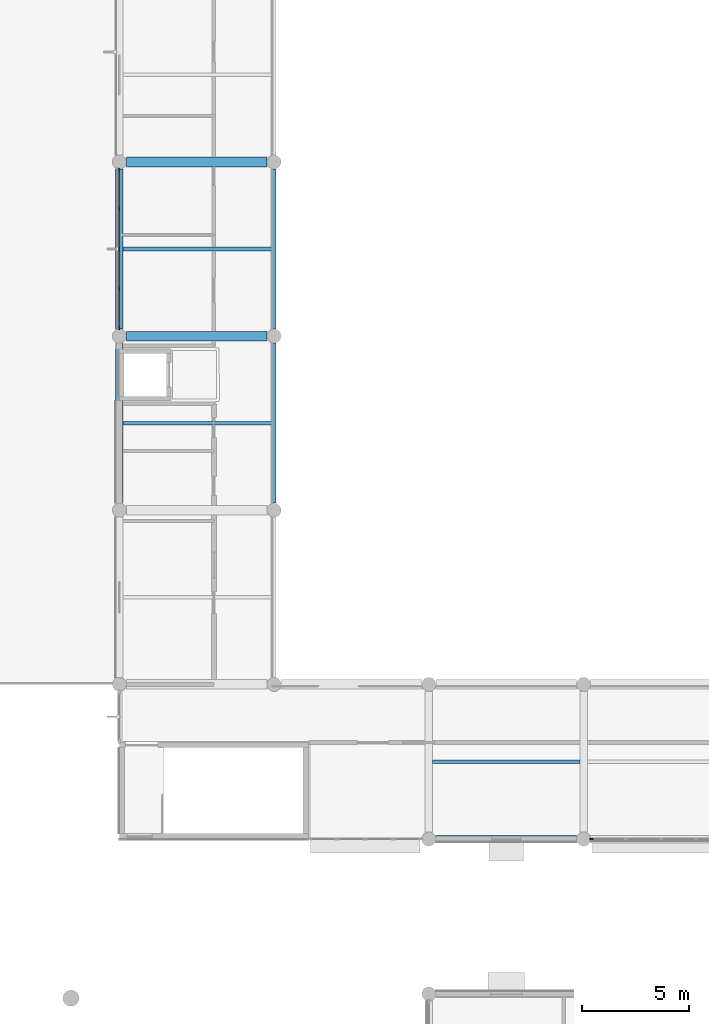
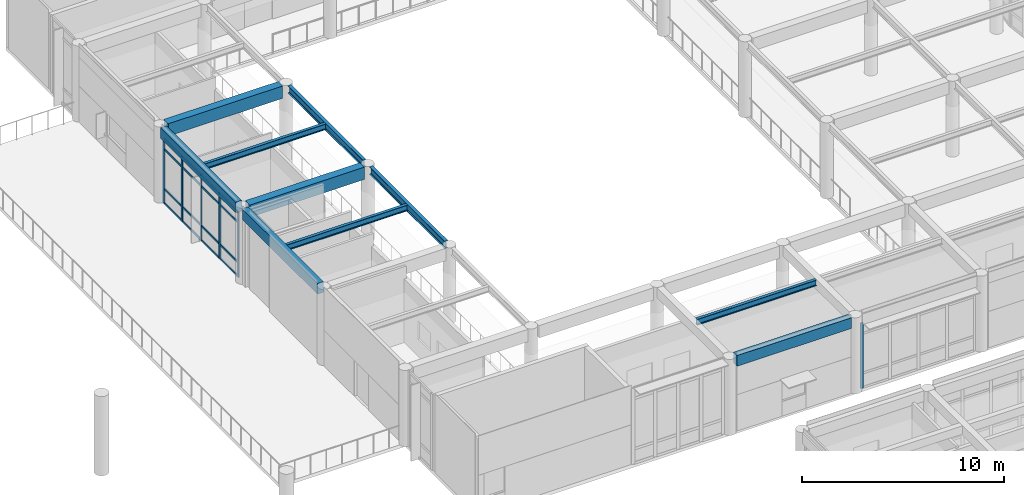
# One storey, part 7 of 92: 22 members, 10 beams, 2 elements without a shape of their own.
"""IFC4 building model written with IfcOpenShell, lengths in metres."""

import ifcopenshell
import ifcopenshell.guid

model = None  # the IFC model being written
_history = None  # IfcOwnerHistory: only IFC2X3 demands one
_inside = {}  # id of a spatial element -> (the spatial element, [elements in it])
_under = {}  # id of a project, library or spatial element -> (it, [spatial elements below it])
_declared = {}  # id of a project -> (the project, [libraries it declares])
_typed = {}  # id of a type object -> (the type object, [elements of that type])
_made_of = {}  # id of a material, layer set ... -> (it, [elements and type objects made of it])


def new_model(schema):
    """Start an empty IFC model of exactly this schema.

    Asked for "IFC4X3", IfcOpenShell would pick the latest addendum, in which some entities
    have other attributes; the version numbers below select the first issue.
    IFC2X3 requires an IfcOwnerHistory on every rooted entity: one is made here for all.
    """
    global model, _history
    if schema == "IFC4X3":
        model = ifcopenshell.file(schema_version=(4, 3, 0, 0))
    else:
        model = ifcopenshell.file(schema=schema)
    _inside.clear()
    _under.clear()
    _declared.clear()
    _typed.clear()
    _made_of.clear()
    _history = None
    if model.schema == "IFC2X3":
        org = make("IfcOrganization", Name="unknown")
        user = make(
            "IfcPersonAndOrganization",
            ThePerson=make("IfcPerson", FamilyName="unknown"),
            TheOrganization=org,
        )
        app = make(
            "IfcApplication",
            ApplicationDeveloper=org,
            Version="unknown",
            ApplicationFullName="unknown",
            ApplicationIdentifier="unknown",
        )
        _history = make(
            "IfcOwnerHistory",
            OwningUser=user,
            OwningApplication=app,
            ChangeAction="ADDED",
            CreationDate=0,
        )
    return model


def make(cls, **values):
    """One entity of the class cls with the attributes given. An attribute that is None is left unset."""
    return model.create_entity(
        cls, **{name: value for name, value in values.items() if value is not None}
    )


def rooted(cls, **values):
    """An entity with a GlobalId (a new one), such as an element, a storey or a relation."""
    return make(cls, GlobalId=ifcopenshell.guid.new(), OwnerHistory=_history, **values)


def si_unit(unit_type, name, prefix=None):
    """IfcSIUnit, for example si_unit("LENGTHUNIT", "METRE", prefix="MILLI")."""
    return make("IfcSIUnit", UnitType=unit_type, Prefix=prefix, Name=name)


def assignment(units):
    """IfcUnitAssignment: the units of a project."""
    return None if units is None else make("IfcUnitAssignment", Units=units)


def point(xyz):
    """IfcCartesianPoint."""
    return None if xyz is None else make("IfcCartesianPoint", Coordinates=xyz)


def direction(xyz):
    """IfcDirection."""
    return None if xyz is None else make("IfcDirection", DirectionRatios=xyz)


def frame(location, z_axis=None, x_axis=None):
    """IfcAxis2Placement3D, a coordinate frame: its origin and axes. An axis left out is left unset."""
    return make(
        "IfcAxis2Placement3D",
        Location=point(location),
        Axis=direction(z_axis),
        RefDirection=direction(x_axis),
    )


def frame_2d(location, x_axis=None):
    """IfcAxis2Placement2D, a coordinate frame in the plane: its origin and x axis."""
    return make(
        "IfcAxis2Placement2D", Location=point(location), RefDirection=direction(x_axis)
    )


def origin():
    """The frame at (0, 0, 0) with its axes left unset."""
    return frame((0.0, 0.0, 0.0))


def origin_2d():
    """The frame at (0, 0) in the plane with its x axis left unset."""
    return frame_2d((0.0, 0.0))


def place(relative_to, where):
    """IfcLocalPlacement: puts the frame where relative to a parent placement (None: the world)."""
    return make(
        "IfcLocalPlacement", PlacementRelTo=relative_to, RelativePlacement=where
    )


def context(
    kind, dimensions, precision=None, world=None, true_north=None, identifier=None
):
    """IfcGeometricRepresentationContext, for example the 3D "Model" context."""
    return make(
        "IfcGeometricRepresentationContext",
        ContextIdentifier=identifier,
        ContextType=kind,
        CoordinateSpaceDimension=dimensions,
        Precision=precision,
        WorldCoordinateSystem=world,
        TrueNorth=true_north,
    )


def subcontext(parent, identifier, kind, view, scale=None):
    """IfcGeometricRepresentationSubContext, for example "Body" below "Model"."""
    return make(
        "IfcGeometricRepresentationSubContext",
        ContextIdentifier=identifier,
        ContextType=kind,
        ParentContext=parent,
        TargetScale=scale,
        TargetView=view,
    )


def project(units=None, contexts=None):
    """IfcProject with its units and contexts."""
    return rooted(
        "IfcProject",
        Name="project",
        RepresentationContexts=contexts,
        UnitsInContext=assignment(units),
    )


def spatial(cls, under=None, at=None, **own):
    """A site, building, storey or space (cls), placed at a placement, below another one or the project."""
    s = rooted(cls, ObjectPlacement=at, **own)
    if under is not None:
        _under.setdefault(under.id(), (under, []))[1].append(s)
    return s


def profile(cls, at=None, kind="AREA", **sizes):
    """A parametric profile (cls). Its sizes go by their IFC names, for example OverallWidth=200.0."""
    return make(cls, ProfileType=kind, Position=at, **sizes)


def rectangle(**sizes):
    """IfcRectangleProfileDef."""
    return profile("IfcRectangleProfileDef", **sizes)


def i_section(**sizes):
    """IfcIShapeProfileDef."""
    return profile("IfcIShapeProfileDef", **sizes)


def extrude(swept, where, along, depth):
    """IfcExtrudedAreaSolid: the profile swept, set in the frame where, extruded along a direction by depth."""
    return make(
        "IfcExtrudedAreaSolid",
        SweptArea=swept,
        Position=where,
        ExtrudedDirection=direction(along),
        Depth=depth,
    )


def shape(context_of_items, identifier, shape_type, items):
    """IfcShapeRepresentation: the items that make up one representation, for example the "Body"."""
    return make(
        "IfcShapeRepresentation",
        ContextOfItems=context_of_items,
        RepresentationIdentifier=identifier,
        RepresentationType=shape_type,
        Items=items,
    )


def material(Name=None, Category=None):
    """IfcMaterial."""
    return make("IfcMaterial", Name=Name, Category=Category)


def layer(
    of_material, thickness, ventilated=None, Name=None, Category=None, Priority=None
):
    """IfcMaterialLayer: one layer of a wall or slab, of a material (None: an air gap)."""
    return make(
        "IfcMaterialLayer",
        Material=of_material,
        LayerThickness=thickness,
        IsVentilated=ventilated,
        Name=Name,
        Category=Category,
        Priority=Priority,
    )


def layer_set(layers, Name=None):
    """IfcMaterialLayerSet."""
    return make("IfcMaterialLayerSet", MaterialLayers=layers, LayerSetName=Name)


def material_profile(
    of_material, cross_section, Name=None, Category=None, Priority=None
):
    """IfcMaterialProfile: a cross section and its material."""
    return make(
        "IfcMaterialProfile",
        Name=Name,
        Material=of_material,
        Profile=cross_section,
        Priority=Priority,
        Category=Category,
    )


def profile_set(profiles, Name=None, composite=None):
    """IfcMaterialProfileSet."""
    return make(
        "IfcMaterialProfileSet",
        Name=Name,
        MaterialProfiles=profiles,
        CompositeProfile=composite,
    )


def made_of(thing, what):
    """Note that an element or type object is made of a material, layer set ...; save() writes the relation."""
    if what is not None:
        _made_of.setdefault(what.id(), (what, []))[1].append(thing)
    return thing


def type_object(cls, material=None, **own):
    """A type object (cls), such as IfcWallType, which elements share."""
    return made_of(rooted(cls, **own), material)


def element(
    cls,
    number,
    at=None,
    inside=None,
    cuts=None,
    type_object=None,
    material=None,
    context=None,
    identifier="Body",
    shape_type=None,
    held_by="IfcProductDefinitionShape",
    body=None,
    shapes=None,
    **own,
):
    """One element of the class cls, such as IfcWall. Its Tag is "e" and its number.

    at: its placement. inside: the storey or other place that contains it. cuts: it is an
    opening in that element (IfcRelVoidsElement). A single representation is given by context,
    identifier, shape_type and body (its items); several are given by shapes. held_by: the class
    of the entity that holds the representations. save() writes the other relations.
    """
    e = rooted(cls, Tag="e%d" % number, ObjectPlacement=at, **own)
    if body is not None:
        shapes = [shape(context, identifier, shape_type, body)]
    if shapes is not None:
        e.Representation = make(held_by, Representations=shapes)
    if inside is not None:
        _inside.setdefault(inside.id(), (inside, []))[1].append(e)
    if cuts is not None:
        rooted(
            "IfcRelVoidsElement", RelatingBuildingElement=cuts, RelatedOpeningElement=e
        )
    if type_object is not None:
        _typed.setdefault(type_object.id(), (type_object, []))[1].append(e)
    return made_of(e, material)


def aggregate(whole, parts):
    """IfcRelAggregates: a whole, such as a stair, and the parts it consists of."""
    return rooted("IfcRelAggregates", RelatingObject=whole, RelatedObjects=parts)


def save(model, path):
    """Write the relations noted so far, then the file.

    IfcRelAggregates (storeys below a building ...), IfcRelContainedInSpatialStructure (elements
    in a storey), IfcRelDefinesByType, IfcRelAssociatesMaterial and IfcRelDeclares: one each for
    every whole, place, type object, material and project.
    """
    for whole, parts in _under.values():
        aggregate(whole, parts)
    for where, things in _inside.values():
        rooted(
            "IfcRelContainedInSpatialStructure",
            RelatedElements=things,
            RelatingStructure=where,
        )
    for kind, things in _typed.values():
        rooted("IfcRelDefinesByType", RelatedObjects=things, RelatingType=kind)
    for what, things in _made_of.values():
        rooted("IfcRelAssociatesMaterial", RelatedObjects=things, RelatingMaterial=what)
    for by, libraries in _declared.values():
        rooted("IfcRelDeclares", RelatingContext=by, RelatedDefinitions=libraries)
    model.write(path)


model = new_model("IFC4")

# Units and contexts
model_context = context("Model", 3, precision=1e-05, world=origin(), true_north=direction((0.0, 1.0)))
body_context = subcontext(model_context, "Body", "Model", "MODEL_VIEW")
ifc_project = project(units=[si_unit("LENGTHUNIT", "METRE"), si_unit("AREAUNIT", "SQUARE_METRE"), si_unit("VOLUMEUNIT", "CUBIC_METRE"), si_unit("PLANEANGLEUNIT", "RADIAN"), si_unit("MASSUNIT", "GRAM", prefix="KILO")], contexts=[model_context])

# Site, building, storey
site_placement = place(None, origin())
site = spatial("IfcSite", under=ifc_project, at=site_placement, CompositionType="ELEMENT")
building_placement = place(site_placement, origin())
building = spatial("IfcBuilding", under=site, at=building_placement, Name="Namkhue Oval Health Centre", CompositionType="ELEMENT")
storey_placement = place(building_placement, frame((0.0, 0.0, 4.800048828125)))
storey = spatial("IfcBuildingStorey", under=building, at=storey_placement, Name="L01", CompositionType="ELEMENT", Elevation=4.800048828125)

# Curtain wall, member
ifc_material_1 = material(Name="Anodised aluminium EN AW-6063 T6", Category="aluminium")
ifc_layer_1 = layer(ifc_material_1, 0.159912109375)
ifc_layer_set_1 = layer_set([ifc_layer_1], Name="Anodised aluminium EN AW-6063 T6")
curtain_wall_type_1 = type_object("IfcCurtainWallType", Name="UNITISED CURTAIN WALL M1500", PredefinedType="NOTDEFINED", material=ifc_layer_set_1)
curtain_wall_1_placement = place(storey_placement, origin())
curtain_wall_1 = element("IfcCurtainWall", 1, at=curtain_wall_1_placement, inside=storey, type_object=curtain_wall_type_1, Name="Volume V1 L01 Unitised Curtain Wall 21", PredefinedType="NOTDEFINED")
ifc_material_profile_1 = material_profile(ifc_material_1, rectangle(XDim=0.06494140625, YDim=0.159912109375, at=origin_2d()), Name="ALU 65x160")
ifc_profile_set_1 = profile_set([ifc_material_profile_1], Name="Anodised aluminium EN AW-6063 T6")
member_type_1 = type_object("IfcMemberType", Name="CURTAIN WALL MULLION 65X160", PredefinedType="MULLION", material=ifc_profile_set_1)
member_1_placement = place(storey_placement, frame((43.5673828125, 36.0, 0.0), z_axis=(0.0, 0.0, 1.0), x_axis=(0.0, 1.0, 0.0)))
member_1 = element("IfcMember", 2, at=member_1_placement, type_object=member_type_1, Name="CW-03 mullion 1", PredefinedType="MULLION", context=body_context, shape_type="SweptSolid", body=[
    extrude(rectangle(XDim=0.06494140625, YDim=0.159912109375, at=origin_2d()), origin(), (0.0, 0.0, 1.0), 3.949951171875),
])
aggregate(curtain_wall_1, [member_1])

# Curtain wall, members
ifc_layer_2 = layer(ifc_material_1, 0.159912109375)
ifc_layer_set_2 = layer_set([ifc_layer_2], Name="Anodised aluminium EN AW-6063 T6")
curtain_wall_type_2 = type_object("IfcCurtainWallType", Name="UNITISED CURTAIN WALL M1800", PredefinedType="NOTDEFINED", material=ifc_layer_set_2)
curtain_wall_2_placement = place(storey_placement, origin())
curtain_wall_2 = element("IfcCurtainWall", 3, at=curtain_wall_2_placement, inside=storey, type_object=curtain_wall_type_2, Name="Volume V1 L01 Unitised Curtain Wall 35", PredefinedType="NOTDEFINED")
member_2_placement = place(storey_placement, frame((21.60009765625, 67.132568359375, 0.0), z_axis=(0.0, 0.0, 1.0), x_axis=(1.0, 0.0, 0.0)))
member_2 = element("IfcMember", 4, at=member_2_placement, type_object=member_type_1, Name="CW-05 mullion 1", PredefinedType="MULLION", context=body_context, shape_type="SweptSolid", body=[
    extrude(rectangle(XDim=0.06494140625, YDim=0.159912109375, at=origin_2d()), origin(), (0.0, 0.0, 1.0), 3.949951171875),
])
member_3_placement = place(storey_placement, frame((21.60009765625, 65.3076171875, 0.0), z_axis=(0.0, 0.0, 1.0), x_axis=(1.0, 0.0, 0.0)))
member_3 = element("IfcMember", 5, at=member_3_placement, type_object=member_type_1, Name="CW-05 mullion 2", PredefinedType="MULLION", context=body_context, shape_type="SweptSolid", body=[
    extrude(rectangle(XDim=0.06494140625, YDim=0.159912109375, at=origin_2d()), origin(), (0.0, 0.0, 1.0), 3.949951171875),
])
member_4_placement = place(storey_placement, frame((21.60009765625, 63.449951171875, 0.0), z_axis=(0.0, 0.0, 1.0), x_axis=(1.0, 0.0, 0.0)))
member_4 = element("IfcMember", 6, at=member_4_placement, type_object=member_type_1, Name="CW-05 mullion 3", PredefinedType="MULLION", context=body_context, shape_type="SweptSolid", body=[
    extrude(rectangle(XDim=0.06494140625, YDim=0.159912109375, at=origin_2d()), origin(), (0.0, 0.0, 1.0), 3.949951171875),
])
member_5_placement = place(storey_placement, frame((21.60009765625, 61.592529296875, 0.0), z_axis=(0.0, 0.0, 1.0), x_axis=(1.0, 0.0, 0.0)))
member_5 = element("IfcMember", 7, at=member_5_placement, type_object=member_type_1, Name="CW-05 mullion 4", PredefinedType="MULLION", context=body_context, shape_type="SweptSolid", body=[
    extrude(rectangle(XDim=0.06494140625, YDim=0.159912109375, at=origin_2d()), origin(), (0.0, 0.0, 1.0), 3.949951171875),
])
member_6_placement = place(storey_placement, frame((21.60009765625, 59.767578125, 0.0), z_axis=(0.0, 0.0, 1.0), x_axis=(1.0, 0.0, 0.0)))
member_6 = element("IfcMember", 8, at=member_6_placement, type_object=member_type_1, Name="CW-05 mullion 5", PredefinedType="MULLION", context=body_context, shape_type="SweptSolid", body=[
    extrude(rectangle(XDim=0.06494140625, YDim=0.159912109375, at=origin_2d()), origin(), (0.0, 0.0, 1.0), 3.949951171875),
])
ifc_material_profile_2 = material_profile(ifc_material_1, rectangle(XDim=0.06494140625, YDim=0.1201171875, at=origin_2d()), Name="ALU 65x120")
ifc_profile_set_2 = profile_set([ifc_material_profile_2], Name="Anodised aluminium EN AW-6063 T6")
member_type_2 = type_object("IfcMemberType", Name="CURTAIN WALL TRANSOM 65X120", PredefinedType="USERDEFINED", material=ifc_profile_set_2)
member_7_placement = place(storey_placement, frame((21.60009765625, 67.10009765625, 0.032470703125), z_axis=(0.0, -1.0, 0.0), x_axis=(1.0, 0.0, 0.0)))
member_7 = element("IfcMember", 9, at=member_7_placement, type_object=member_type_2, Name="CW-05 transom 1.1", ObjectType="TRANSOM", PredefinedType="USERDEFINED", context=body_context, shape_type="SweptSolid", body=[
    extrude(rectangle(XDim=0.06494140625, YDim=0.1201171875, at=origin_2d()), origin(), (0.0, 0.0, 1.0), 1.760009765625),
])
member_8_placement = place(storey_placement, frame((21.60009765625, 67.10009765625, 0.89990234375), z_axis=(0.0, -1.0, 0.0), x_axis=(1.0, 0.0, 0.0)))
member_8 = element("IfcMember", 10, at=member_8_placement, type_object=member_type_2, Name="CW-05 transom 1.2", ObjectType="TRANSOM", PredefinedType="USERDEFINED", context=body_context, shape_type="SweptSolid", body=[
    extrude(rectangle(XDim=0.06494140625, YDim=0.1201171875, at=origin_2d()), origin(), (0.0, 0.0, 1.0), 1.760009765625),
])
member_9_placement = place(storey_placement, frame((21.60009765625, 67.10009765625, 3.300048828125), z_axis=(0.0, -1.0, 0.0), x_axis=(1.0, 0.0, 0.0)))
member_9 = element("IfcMember", 11, at=member_9_placement, type_object=member_type_2, Name="CW-05 transom 1.3", ObjectType="TRANSOM", PredefinedType="USERDEFINED", context=body_context, shape_type="SweptSolid", body=[
    extrude(rectangle(XDim=0.06494140625, YDim=0.1201171875, at=origin_2d()), origin(), (0.0, 0.0, 1.0), 1.760009765625),
])
member_10_placement = place(storey_placement, frame((21.60009765625, 67.10009765625, 3.91748046875), z_axis=(0.0, -1.0, 0.0), x_axis=(1.0, 0.0, 0.0)))
member_10 = element("IfcMember", 12, at=member_10_placement, type_object=member_type_2, Name="CW-05 transom 1.4", ObjectType="TRANSOM", PredefinedType="USERDEFINED", context=body_context, shape_type="SweptSolid", body=[
    extrude(rectangle(XDim=0.06494140625, YDim=0.1201171875, at=origin_2d()), origin(), (0.0, 0.0, 1.0), 1.760009765625),
])
member_11_placement = place(storey_placement, frame((21.60009765625, 65.27490234375, 0.032470703125), z_axis=(0.0, -1.0, 0.0), x_axis=(1.0, 0.0, 0.0)))
member_11 = element("IfcMember", 13, at=member_11_placement, type_object=member_type_2, Name="CW-05 transom 2.1", ObjectType="TRANSOM", PredefinedType="USERDEFINED", context=body_context, shape_type="SweptSolid", body=[
    extrude(rectangle(XDim=0.06494140625, YDim=0.1201171875, at=origin_2d()), origin(), (0.0, 0.0, 1.0), 1.79248046875),
])
member_12_placement = place(storey_placement, frame((21.60009765625, 65.27490234375, 0.89990234375), z_axis=(0.0, -1.0, 0.0), x_axis=(1.0, 0.0, 0.0)))
member_12 = element("IfcMember", 14, at=member_12_placement, type_object=member_type_2, Name="CW-05 transom 2.2", ObjectType="TRANSOM", PredefinedType="USERDEFINED", context=body_context, shape_type="SweptSolid", body=[
    extrude(rectangle(XDim=0.06494140625, YDim=0.1201171875, at=origin_2d()), origin(), (0.0, 0.0, 1.0), 1.79248046875),
])
member_13_placement = place(storey_placement, frame((21.60009765625, 65.27490234375, 3.300048828125), z_axis=(0.0, -1.0, 0.0), x_axis=(1.0, 0.0, 0.0)))
member_13 = element("IfcMember", 15, at=member_13_placement, type_object=member_type_2, Name="CW-05 transom 2.3", ObjectType="TRANSOM", PredefinedType="USERDEFINED", context=body_context, shape_type="SweptSolid", body=[
    extrude(rectangle(XDim=0.06494140625, YDim=0.1201171875, at=origin_2d()), origin(), (0.0, 0.0, 1.0), 1.79248046875),
])
member_14_placement = place(storey_placement, frame((21.60009765625, 65.27490234375, 3.91748046875), z_axis=(0.0, -1.0, 0.0), x_axis=(1.0, 0.0, 0.0)))
member_14 = element("IfcMember", 16, at=member_14_placement, type_object=member_type_2, Name="CW-05 transom 2.4", ObjectType="TRANSOM", PredefinedType="USERDEFINED", context=body_context, shape_type="SweptSolid", body=[
    extrude(rectangle(XDim=0.06494140625, YDim=0.1201171875, at=origin_2d()), origin(), (0.0, 0.0, 1.0), 1.79248046875),
])
member_15_placement = place(storey_placement, frame((21.60009765625, 63.41748046875, 0.032470703125), z_axis=(0.0, -1.0, 0.0), x_axis=(1.0, 0.0, 0.0)))
member_15 = element("IfcMember", 17, at=member_15_placement, type_object=member_type_2, Name="CW-05 transom 3.1", ObjectType="TRANSOM", PredefinedType="USERDEFINED", context=body_context, shape_type="SweptSolid", body=[
    extrude(rectangle(XDim=0.06494140625, YDim=0.1201171875, at=origin_2d()), origin(), (0.0, 0.0, 1.0), 1.79248046875),
])
member_16_placement = place(storey_placement, frame((21.60009765625, 63.41748046875, 0.89990234375), z_axis=(0.0, -1.0, 0.0), x_axis=(1.0, 0.0, 0.0)))
member_16 = element("IfcMember", 18, at=member_16_placement, type_object=member_type_2, Name="CW-05 transom 3.2", ObjectType="TRANSOM", PredefinedType="USERDEFINED", context=body_context, shape_type="SweptSolid", body=[
    extrude(rectangle(XDim=0.06494140625, YDim=0.1201171875, at=origin_2d()), origin(), (0.0, 0.0, 1.0), 1.79248046875),
])
member_17_placement = place(storey_placement, frame((21.60009765625, 63.41748046875, 3.300048828125), z_axis=(0.0, -1.0, 0.0), x_axis=(1.0, 0.0, 0.0)))
member_17 = element("IfcMember", 19, at=member_17_placement, type_object=member_type_2, Name="CW-05 transom 3.3", ObjectType="TRANSOM", PredefinedType="USERDEFINED", context=body_context, shape_type="SweptSolid", body=[
    extrude(rectangle(XDim=0.06494140625, YDim=0.1201171875, at=origin_2d()), origin(), (0.0, 0.0, 1.0), 1.79248046875),
])
member_18_placement = place(storey_placement, frame((21.60009765625, 63.41748046875, 3.91748046875), z_axis=(0.0, -1.0, 0.0), x_axis=(1.0, 0.0, 0.0)))
member_18 = element("IfcMember", 20, at=member_18_placement, type_object=member_type_2, Name="CW-05 transom 3.4", ObjectType="TRANSOM", PredefinedType="USERDEFINED", context=body_context, shape_type="SweptSolid", body=[
    extrude(rectangle(XDim=0.06494140625, YDim=0.1201171875, at=origin_2d()), origin(), (0.0, 0.0, 1.0), 1.79248046875),
])
member_19_placement = place(storey_placement, frame((21.60009765625, 61.56005859375, 0.032470703125), z_axis=(0.0, -1.0, 0.0), x_axis=(1.0, 0.0, 0.0)))
member_19 = element("IfcMember", 21, at=member_19_placement, type_object=member_type_2, Name="CW-05 transom 4.1", ObjectType="TRANSOM", PredefinedType="USERDEFINED", context=body_context, shape_type="SweptSolid", body=[
    extrude(rectangle(XDim=0.06494140625, YDim=0.1201171875, at=origin_2d()), origin(), (0.0, 0.0, 1.0), 1.760009765625),
])
member_20_placement = place(storey_placement, frame((21.60009765625, 61.56005859375, 0.89990234375), z_axis=(0.0, -1.0, 0.0), x_axis=(1.0, 0.0, 0.0)))
member_20 = element("IfcMember", 22, at=member_20_placement, type_object=member_type_2, Name="CW-05 transom 4.2", ObjectType="TRANSOM", PredefinedType="USERDEFINED", context=body_context, shape_type="SweptSolid", body=[
    extrude(rectangle(XDim=0.06494140625, YDim=0.1201171875, at=origin_2d()), origin(), (0.0, 0.0, 1.0), 1.760009765625),
])
member_21_placement = place(storey_placement, frame((21.60009765625, 61.56005859375, 3.300048828125), z_axis=(0.0, -1.0, 0.0), x_axis=(1.0, 0.0, 0.0)))
member_21 = element("IfcMember", 23, at=member_21_placement, type_object=member_type_2, Name="CW-05 transom 4.3", ObjectType="TRANSOM", PredefinedType="USERDEFINED", context=body_context, shape_type="SweptSolid", body=[
    extrude(rectangle(XDim=0.06494140625, YDim=0.1201171875, at=origin_2d()), origin(), (0.0, 0.0, 1.0), 1.760009765625),
])
member_22_placement = place(storey_placement, frame((21.60009765625, 61.56005859375, 3.91748046875), z_axis=(0.0, -1.0, 0.0), x_axis=(1.0, 0.0, 0.0)))
member_22 = element("IfcMember", 24, at=member_22_placement, type_object=member_type_2, Name="CW-05 transom 4.4", ObjectType="TRANSOM", PredefinedType="USERDEFINED", context=body_context, shape_type="SweptSolid", body=[
    extrude(rectangle(XDim=0.06494140625, YDim=0.1201171875, at=origin_2d()), origin(), (0.0, 0.0, 1.0), 1.760009765625),
])
aggregate(curtain_wall_2, [member_2, member_3, member_4, member_5, member_6, member_7, member_8, member_9, member_10, member_11, member_12, member_13, member_14, member_15, member_16, member_17, member_18, member_19, member_20, member_21, member_22])

# Beams
ifc_material_2 = material(Name="Structural steel EN 10025-2 S355JR (TCVN 5575:2024)", Category="steel")
ifc_material_profile_3 = material_profile(ifc_material_2, i_section(OverallWidth=0.18994140625, OverallDepth=0.449951171875, WebThickness=0.009521484375, FlangeThickness=0.0146484375, FilletRadius=0.02099609375, at=origin_2d()), Name="IPE 450")
ifc_profile_set_3 = profile_set([ifc_material_profile_3], Name="Structural steel EN 10025-2 S355JR (TCVN 5575:2024)")
beam_type_1 = type_object("IfcBeamType", Name="FLOOR BEAM STEEL IPE 450", PredefinedType="BEAM", material=ifc_profile_set_3)
for number, where, z_axis, x_axis, name in (
    (25, (28.800048828125, 51.625, 4.375), (0.0, 1.0, 0.0), (-1.0, 0.0, 0.0), "Volume V1 L02 Beam 5/H-J"),
    (26, (28.800048828125, 59.72509765625, 4.375), (0.0, 1.0, 0.0), (-1.0, 0.0, 0.0), "Volume V1 L02 Beam 5/J-K"),
):
    element("IfcBeam", number, at=place(storey_placement, frame(where, z_axis=z_axis, x_axis=x_axis)), inside=storey, type_object=beam_type_1, Name=name, PredefinedType="BEAM", context=body_context, shape_type="SweptSolid", body=[
        extrude(i_section(OverallWidth=0.18994140625, OverallDepth=0.449951171875, WebThickness=0.009521484375, FlangeThickness=0.0146484375, FilletRadius=0.02099609375, at=origin_2d()), origin(), (0.0, 0.0, 1.0), 7.449951171875),
    ])
ifc_material_3 = material(Name="Reinforced concrete C35/45 (TCVN B40)", Category="concrete")
ifc_material_profile_4 = material_profile(ifc_material_3, rectangle(XDim=0.35009765625, YDim=0.64990234375, at=origin_2d()), Name="RC 350x650")
ifc_profile_set_4 = profile_set([ifc_material_profile_4], Name="Reinforced concrete C35/45 (TCVN B40)")
beam_type_2 = type_object("IfcBeamType", Name="PERIMETER SPANDREL BEAM 350X650", PredefinedType="SPANDREL", material=ifc_profile_set_4)
beam_1_placement = place(storey_placement, frame((36.324951171875, 36.0, 4.27490234375), z_axis=(1.0, 0.0, 0.0), x_axis=(0.0, 1.0, 0.0)))
element("IfcBeam", 27, at=beam_1_placement, inside=storey, type_object=beam_type_2, Name="Volume V1 L02 Girder F/6-7", PredefinedType="SPANDREL", context=body_context, shape_type="SweptSolid", body=[
    extrude(rectangle(XDim=0.35009765625, YDim=0.64990234375, at=origin_2d()), origin(), (0.0, 0.0, 1.0), 6.550048828125),
])
for number, where, z_axis, x_axis, name in (
    (28, (21.60009765625, 51.625, 4.27490234375), (0.0, 1.0, 0.0), (-1.0, 0.0, 0.0), "Volume V1 L02 Beam 4/H-J"),
    (29, (21.60009765625, 59.72509765625, 4.27490234375), (0.0, 1.0, 0.0), (-1.0, 0.0, 0.0), "Volume V1 L02 Beam 4/J-K"),
):
    element("IfcBeam", number, at=place(storey_placement, frame(where, z_axis=z_axis, x_axis=x_axis)), inside=storey, type_object=beam_type_2, Name=name, PredefinedType="SPANDREL", context=body_context, shape_type="SweptSolid", body=[
        extrude(rectangle(XDim=0.35009765625, YDim=0.64990234375, at=origin_2d()), origin(), (0.0, 0.0, 1.0), 7.449951171875),
    ])
ifc_material_profile_5 = material_profile(ifc_material_3, rectangle(XDim=0.449951171875, YDim=0.75, at=origin_2d()), Name="RC 450x750")
ifc_profile_set_5 = profile_set([ifc_material_profile_5], Name="Reinforced concrete C35/45 (TCVN B40)")
beam_type_3 = type_object("IfcBeamType", Name="PRIMARY GIRDER RC 450X750", PredefinedType="USERDEFINED", material=ifc_profile_set_5)
for number, where, z_axis, x_axis, name in (
    (30, (21.925048828125, 59.39990234375, 4.224853515625), (1.0, 0.0, 0.0), (0.0, 1.0, 0.0), "Volume V1 L02 Girder J/4-5"),
    (31, (21.925048828125, 67.5, 4.224853515625), (1.0, 0.0, 0.0), (0.0, 1.0, 0.0), "Volume V1 L02 Girder K/4-5"),
):
    element("IfcBeam", number, at=place(storey_placement, frame(where, z_axis=z_axis, x_axis=x_axis)), inside=storey, type_object=beam_type_3, Name=name, ObjectType="GIRDER", PredefinedType="USERDEFINED", context=body_context, shape_type="SweptSolid", body=[
        extrude(rectangle(XDim=0.449951171875, YDim=0.75, at=origin_2d()), origin(), (0.0, 0.0, 1.0), 6.550048828125),
    ])
ifc_material_profile_6 = material_profile(ifc_material_2, i_section(OverallWidth=0.169921875, OverallDepth=0.360107421875, WebThickness=0.008056640625, FlangeThickness=0.0126953125, FilletRadius=0.01806640625, at=origin_2d()), Name="IPE 360")
ifc_profile_set_6 = profile_set([ifc_material_profile_6], Name="Structural steel EN 10025-2 S355JR (TCVN 5575:2024)")
beam_type_4 = type_object("IfcBeamType", Name="SECONDARY JOIST STEEL IPE 360", PredefinedType="JOIST", material=ifc_profile_set_6)
for number, where, z_axis, x_axis, name in (
    (32, (21.77490234375, 55.35009765625, 4.419921875), (1.0, 0.0, 0.0), (0.0, 1.0, 0.0), "Volume V1 L02 Secondary Joist 4-5"),
    (33, (21.77490234375, 63.449951171875, 4.419921875), (1.0, 0.0, 0.0), (0.0, 1.0, 0.0), "Volume V1 L02 Secondary Joist 4-5"),
):
    element("IfcBeam", number, at=place(storey_placement, frame(where, z_axis=z_axis, x_axis=x_axis)), inside=storey, type_object=beam_type_4, Name=name, PredefinedType="JOIST", context=body_context, shape_type="SweptSolid", body=[
        extrude(i_section(OverallWidth=0.169921875, OverallDepth=0.360107421875, WebThickness=0.008056640625, FlangeThickness=0.0126953125, FilletRadius=0.01806640625, at=origin_2d()), origin(), (0.0, 0.0, 1.0), 6.93017578125),
    ])
beam_2_placement = place(storey_placement, frame((36.175048828125, 39.60009765625, 4.419921875), z_axis=(1.0, 0.0, 0.0), x_axis=(0.0, 1.0, 0.0)))
element("IfcBeam", 34, at=beam_2_placement, inside=storey, type_object=beam_type_4, Name="Volume V1 L02 Secondary Joist 6-7", PredefinedType="JOIST", context=body_context, shape_type="SweptSolid", body=[
    extrude(i_section(OverallWidth=0.169921875, OverallDepth=0.360107421875, WebThickness=0.008056640625, FlangeThickness=0.0126953125, FilletRadius=0.01806640625, at=origin_2d()), origin(), (0.0, 0.0, 1.0), 6.849853515625),
])

save(model, "model.ifc")
